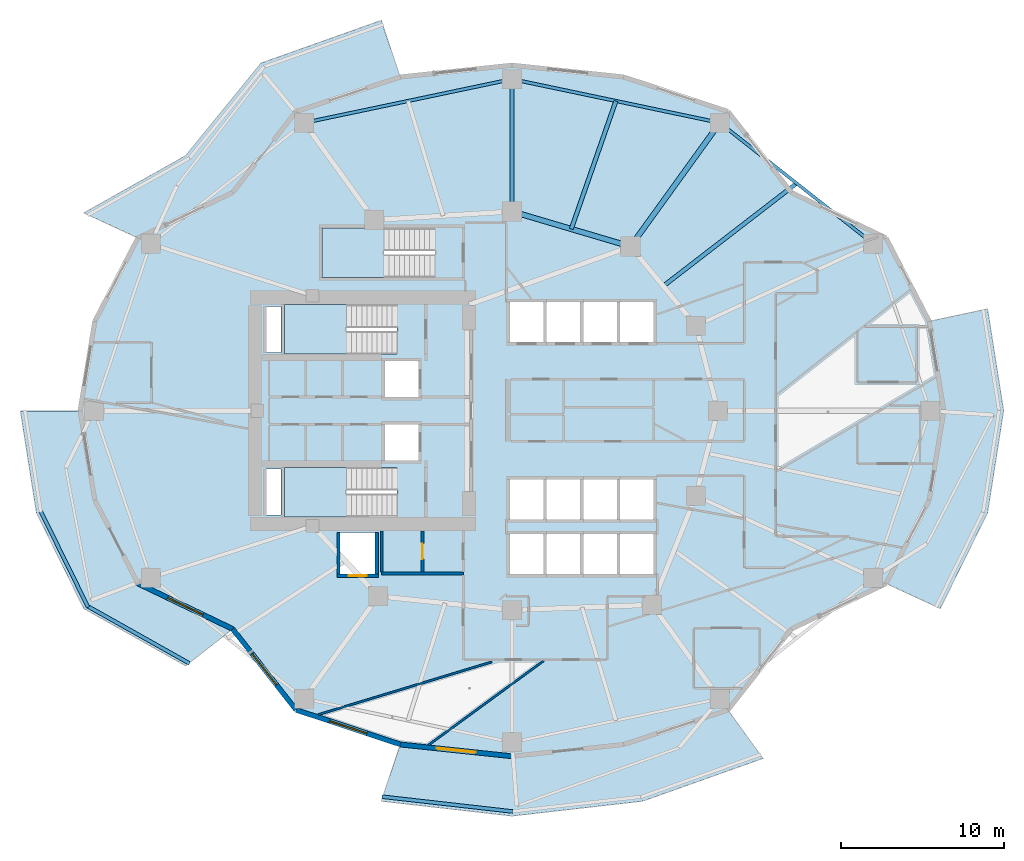
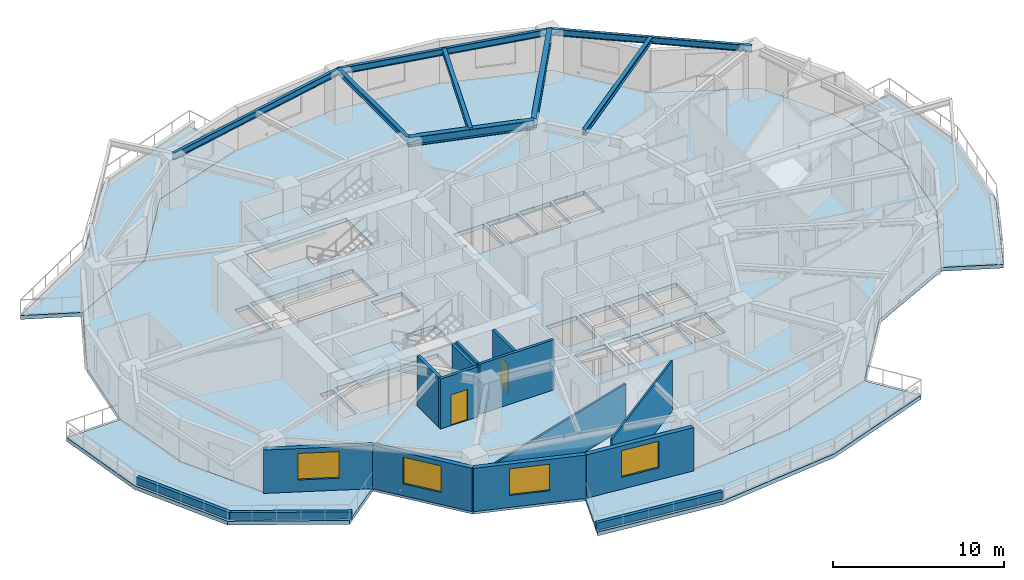
# One storey, part 2 of 16: 15 walls, 8 beams, 8 slabs, 4 windows, 2 doors, 6 openings, 3 elements without a shape of their own.
"""IFC4 building model written with IfcOpenShell, lengths in metres."""

from ifc_helpers import new_model, si_unit, direction, frame, frame_2d, origin, origin_2d, place, context, subcontext, project, spatial, polyline, rectangle, i_section, outline, extrude, material, layer, layer_set, material_profile, profile_set, type_object, element, fill, aggregate, save


model = new_model("IFC4")

# Units and contexts
model_context = context("Model", 3, precision=1e-05, world=origin(), true_north=direction((0.0, 1.0)))
body_context = subcontext(model_context, "Body", "Model", "MODEL_VIEW")
ifc_project = project(units=[si_unit("LENGTHUNIT", "METRE"), si_unit("AREAUNIT", "SQUARE_METRE"), si_unit("VOLUMEUNIT", "CUBIC_METRE"), si_unit("PLANEANGLEUNIT", "RADIAN"), si_unit("MASSUNIT", "GRAM", prefix="KILO")], contexts=[model_context])

# Site, building, storey
site_placement = place(None, origin())
site = spatial("IfcSite", under=ifc_project, at=site_placement, CompositionType="ELEMENT")
building_placement = place(site_placement, origin())
building = spatial("IfcBuilding", under=site, at=building_placement, Name="Kolvaren Gate Tower and Convention Centre", CompositionType="ELEMENT")
storey_placement = place(building_placement, frame((0.0, 0.0, 65.0)))
storey = spatial("IfcBuildingStorey", under=building, at=storey_placement, Name="L15", CompositionType="ELEMENT", Elevation=65.0)

# Beams
ifc_material_1 = material(Name="Structural steel ASTM A992 Grade 345 MPa", Category="steel")
ifc_material_profile_1 = material_profile(ifc_material_1, i_section(OverallWidth=0.327880859375, OverallDepth=0.6279296875, WebThickness=0.0166015625, FlangeThickness=0.027587890625, at=origin_2d()), Name="W610X217")
ifc_profile_set_1 = profile_set([ifc_material_profile_1], Name="Structural steel ASTM A992 Grade 345 MPa")
beam_type_1 = type_object("IfcBeamType", Name="STR-BM-W610X217", PredefinedType="BEAM", material=ifc_profile_set_1)
beam_1_placement = place(storey_placement, frame((37.381591796875, 37.054931640625, 3.256103515625), z_axis=(-0.958980837827, 0.283470902706, 0.0), x_axis=(-0.283470902706, -0.958980837827, 0.0)))
element("IfcBeam", 1, at=beam_1_placement, inside=storey, type_object=beam_type_1, Name="Tower L15 Primary Ring Girder G-03", PredefinedType="BEAM", context=body_context, shape_type="SweptSolid", body=[
    extrude(i_section(OverallWidth=0.327880859375, OverallDepth=0.6279296875, WebThickness=0.0166015625, FlangeThickness=0.027587890625, at=origin_2d()), origin(), (0.0, 0.0, 1.0), 7.56689453125),
])
beam_2_placement = place(storey_placement, frame((37.381591796875, 37.054931640625, 3.256103515625), z_axis=(0.585207971848, 0.810883240477, 0.0), x_axis=(-0.810883240477, 0.585207971848, 0.0)))
element("IfcBeam", 2, at=beam_2_placement, inside=storey, type_object=beam_type_1, Name="Tower L15 Radial Floor Girder RB-03", PredefinedType="BEAM", context=body_context, shape_type="SweptSolid", body=[
    extrude(i_section(OverallWidth=0.327880859375, OverallDepth=0.6279296875, WebThickness=0.0166015625, FlangeThickness=0.027587890625, at=origin_2d()), origin(), (0.0, 0.0, 1.0), 9.33837890625),
])
ifc_material_profile_2 = material_profile(ifc_material_1, i_section(OverallWidth=0.2548828125, OverallDepth=0.35693359375, WebThickness=0.010498046875, FlangeThickness=0.018310546875, at=origin_2d()), Name="W360X101")
ifc_profile_set_2 = profile_set([ifc_material_profile_2], Name="Structural steel ASTM A992 Grade 345 MPa")
beam_type_2 = type_object("IfcBeamType", Name="STR-JS-W360X101", PredefinedType="JOIST", material=ifc_profile_set_2)
beam_3_placement = place(storey_placement, frame((30.125, 39.199951171875, 3.3916015625), z_axis=(0.0, 1.0, 0.0), x_axis=(-1.0, 0.0, 0.0)))
element("IfcBeam", 3, at=beam_3_placement, inside=storey, type_object=beam_type_2, Name="Tower L15 Radial Floor Girder RB-04", PredefinedType="JOIST", context=body_context, shape_type="SweptSolid", body=[
    extrude(i_section(OverallWidth=0.2548828125, OverallDepth=0.35693359375, WebThickness=0.010498046875, FlangeThickness=0.018310546875, at=origin_2d()), origin(), (0.0, 0.0, 1.0), 8.10009765625),
])
beam_4_placement = place(storey_placement, frame((39.3818359375, 34.627197265625, 3.3916015625), z_axis=(0.791953664744, 0.610581192716, 0.0), x_axis=(-0.610581192716, 0.791953664744, 0.0)))
element("IfcBeam", 4, at=beam_4_placement, inside=storey, type_object=beam_type_2, Name="Tower L15 Secondary Composite Floor Joist J-02.1", PredefinedType="JOIST", context=body_context, shape_type="SweptSolid", body=[
    extrude(i_section(OverallWidth=0.2548828125, OverallDepth=0.35693359375, WebThickness=0.010498046875, FlangeThickness=0.018310546875, at=origin_2d()), origin(), (0.0, 0.0, 1.0), 10.31103515625),
])
beam_5_placement = place(storey_placement, frame((33.75341796875, 38.12744140625, 3.3916015625), z_axis=(0.329233693857, 0.944248470917, 0.0), x_axis=(-0.944248470917, 0.329233693857, 0.0)))
element("IfcBeam", 5, at=beam_5_placement, inside=storey, type_object=beam_type_2, Name="Tower L15 Secondary Composite Floor Joist J-03.1", PredefinedType="JOIST", context=body_context, shape_type="SweptSolid", body=[
    extrude(i_section(OverallWidth=0.2548828125, OverallDepth=0.35693359375, WebThickness=0.010498046875, FlangeThickness=0.018310546875, at=origin_2d()), origin(), (0.0, 0.0, 1.0), 8.298583984375),
])
ifc_material_profile_3 = material_profile(ifc_material_1, i_section(OverallWidth=0.194091796875, OverallDepth=0.468994140625, WebThickness=0.0126953125, FlangeThickness=0.0205078125, at=origin_2d()), Name="W460X106")
ifc_profile_set_3 = profile_set([ifc_material_profile_3], Name="Structural steel ASTM A992 Grade 345 MPa")
beam_type_3 = type_object("IfcBeamType", Name="STR-SP-W460X106", PredefinedType="SPANDREL", material=ifc_profile_set_3)
beam_6_placement = place(storey_placement, frame((52.248779296875, 37.218505859375, 3.33544921875), z_axis=(-0.785459824636, 0.618912646407, 0.0), x_axis=(-0.618912646407, -0.785459824636, 0.0)))
element("IfcBeam", 6, at=beam_6_placement, inside=storey, type_object=beam_type_3, Name="Tower L15 Perimeter Spandrel Beam SP-02", PredefinedType="SPANDREL", context=body_context, shape_type="SweptSolid", body=[
    extrude(i_section(OverallWidth=0.194091796875, OverallDepth=0.468994140625, WebThickness=0.0126953125, FlangeThickness=0.0205078125, at=origin_2d()), origin(), (0.0, 0.0, 1.0), 11.970458984375),
])
beam_7_placement = place(storey_placement, frame((42.846435546875, 44.627197265625, 3.33544921875), z_axis=(-0.978632602148, 0.205616706552, 0.0), x_axis=(-0.205616706552, -0.978632602148, 0.0)))
element("IfcBeam", 7, at=beam_7_placement, inside=storey, type_object=beam_type_3, Name="Tower L15 Perimeter Spandrel Beam SP-03", PredefinedType="SPANDREL", context=body_context, shape_type="SweptSolid", body=[
    extrude(i_section(OverallWidth=0.194091796875, OverallDepth=0.468994140625, WebThickness=0.0126953125, FlangeThickness=0.0205078125, at=origin_2d()), origin(), (0.0, 0.0, 1.0), 12.999267578125),
])
beam_8_placement = place(storey_placement, frame((30.125, 47.300048828125, 3.33544921875), z_axis=(-0.97863180809, -0.205620485836, 0.0), x_axis=(0.205620485836, -0.97863180809, 0.0)))
element("IfcBeam", 8, at=beam_8_placement, inside=storey, type_object=beam_type_3, Name="Tower L15 Perimeter Spandrel Beam SP-04", PredefinedType="SPANDREL", context=body_context, shape_type="SweptSolid", body=[
    extrude(i_section(OverallWidth=0.194091796875, OverallDepth=0.468994140625, WebThickness=0.0126953125, FlangeThickness=0.0205078125, at=origin_2d()), origin(), (0.0, 0.0, 1.0), 12.9990234375),
])

# Slabs
ifc_material_2 = material(Name="Concrete C50/60", Category="concrete")
ifc_layer_1 = layer(ifc_material_2, 0.27001953125)
ifc_layer_set_1 = layer_set([ifc_layer_1], Name="Concrete C50/60")
slab_type_1 = type_object("IfcSlabType", Name="STR-SL-BALC-270", PredefinedType="FLOOR", material=ifc_layer_set_1)
slab_1_placement = place(storey_placement, frame((0.0, 0.0, -0.27001953125)))
element("IfcSlab", 9, at=slab_1_placement, inside=storey, type_object=slab_type_1, Name="Tower L15 Planted Balcony Terrace Slab 1 (North)", PredefinedType="FLOOR", context=body_context, shape_type="SweptSolid", body=[
    extrude(outline(polyline([(23.282470703125, 47.42919921875), (16.90625, 45.31640625), (13.026123046875, 40.360107421875), (7.2294921875, 37.574951171875), (3.90673828125, 39.109619140625), (10.14208984375, 42.613525390625), (14.764404296875, 48.2841796875), (22.1201171875, 50.89990234375), (23.282470703125, 47.42919921875)])), origin(), (0.0, 0.0, 1.0), 0.27001953125),
])
slab_2_placement = place(storey_placement, frame((0.0, 0.0, -0.27001953125)))
element("IfcSlab", 10, at=slab_2_placement, inside=storey, type_object=slab_type_1, Name="Tower L15 Planted Balcony Terrace Slab 2 (West)", PredefinedType="FLOOR", context=body_context, shape_type="SweptSolid", body=[
    extrude(outline(polyline([(3.6875, 27.0), (4.58837890625, 21.52587890625), (7.2294921875, 16.425048828125), (13.026123046875, 13.639892578125), (10.14208984375, 11.386474609375), (3.90673828125, 14.890380859375), (1.009521484375, 20.7587890625), (0.027587890625, 27.0), (3.6875, 27.0)])), origin(), (0.0, 0.0, 1.0), 0.27001953125),
])
slab_3_placement = place(storey_placement, frame((0.0, 0.0, -0.27001953125)))
element("IfcSlab", 11, at=slab_3_placement, inside=storey, type_object=slab_type_1, Name="Tower L15 Planted Balcony Terrace Slab 3 (South)", PredefinedType="FLOOR", context=body_context, shape_type="SweptSolid", body=[
    extrude(outline(polyline([(23.282470703125, 6.57080078125), (30.125, 5.85009765625), (36.967529296875, 6.57080078125), (43.34375, 8.68359375), (45.485595703125, 5.7158203125), (38.1298828125, 3.10009765625), (30.125, 2.18994140625), (22.1201171875, 3.10009765625), (23.282470703125, 6.57080078125)])), origin(), (0.0, 0.0, 1.0), 0.27001953125),
])
slab_4_placement = place(storey_placement, frame((0.0, 0.0, -0.27001953125)))
element("IfcSlab", 12, at=slab_4_placement, inside=storey, type_object=slab_type_1, Name="Tower L15 Planted Balcony Terrace Slab 4 (East)", PredefinedType="FLOOR", context=body_context, shape_type="SweptSolid", body=[
    extrude(outline(polyline([(53.0205078125, 16.425048828125), (55.66162109375, 21.52587890625), (56.5625, 27.0), (55.66162109375, 32.47412109375), (59.240478515625, 33.2412109375), (60.222412109375, 27.0), (59.240478515625, 20.7587890625), (56.34326171875, 14.890380859375), (53.0205078125, 16.425048828125)])), origin(), (0.0, 0.0, 1.0), 0.27001953125),
])
ifc_layer_2 = layer(ifc_material_2, 0.280029296875)
ifc_layer_set_2 = layer_set([ifc_layer_2], Name="Concrete C50/60")
slab_type_2 = type_object("IfcSlabType", Name="STR-SL-FLR-280", PredefinedType="FLOOR", material=ifc_layer_set_2)
slab_5_placement = place(storey_placement, frame((0.0, 0.0, -0.280029296875)))
element("IfcSlab", 13, at=slab_5_placement, inside=storey, type_object=slab_type_2, Name="Tower L15 Structural Floor Slab", PredefinedType="FLOOR", context=body_context, shape_type="SweptSolid", body=[
    extrude(outline(polyline([(56.5625, 27.0), (55.66162109375, 32.47412109375), (53.0205078125, 37.574951171875), (47.223876953125, 40.360107421875), (43.34375, 45.31640625), (36.967529296875, 47.42919921875), (30.125, 48.14990234375), (23.282470703125, 47.42919921875), (16.90625, 45.31640625), (13.026123046875, 40.360107421875), (7.2294921875, 37.574951171875), (4.58837890625, 32.47412109375), (3.6875, 27.0), (4.58837890625, 21.52587890625), (7.2294921875, 16.425048828125), (13.026123046875, 13.639892578125), (16.90625, 8.68359375), (23.282470703125, 6.57080078125), (30.125, 5.85009765625), (36.967529296875, 6.57080078125), (43.34375, 8.68359375), (47.223876953125, 13.639892578125), (53.0205078125, 16.425048828125), (55.66162109375, 21.52587890625), (56.5625, 27.0)]), holes=[polyline([(36.75, 33.64990234375), (38.800048828125, 33.64990234375), (38.800048828125, 31.199951171875), (36.75, 31.199951171875), (36.75, 33.64990234375)]), polyline([(36.75, 20.35009765625), (36.75, 22.800048828125), (38.800048828125, 22.800048828125), (38.800048828125, 20.35009765625), (36.75, 20.35009765625)]), polyline([(36.75, 17.0), (36.75, 19.449951171875), (38.800048828125, 19.449951171875), (38.800048828125, 17.0), (36.75, 17.0)]), polyline([(34.5, 33.64990234375), (36.550048828125, 33.64990234375), (36.550048828125, 31.199951171875), (34.5, 31.199951171875), (34.5, 33.64990234375)]), polyline([(34.5, 22.800048828125), (36.550048828125, 22.800048828125), (36.550048828125, 20.35009765625), (34.5, 20.35009765625), (34.5, 22.800048828125)]), polyline([(34.5, 17.0), (34.5, 19.449951171875), (36.550048828125, 19.449951171875), (36.550048828125, 17.0), (34.5, 17.0)]), polyline([(32.25, 31.199951171875), (32.25, 33.64990234375), (34.300048828125, 33.64990234375), (34.300048828125, 31.199951171875), (32.25, 31.199951171875)]), polyline([(32.25, 22.800048828125), (34.300048828125, 22.800048828125), (34.300048828125, 20.35009765625), (32.25, 20.35009765625), (32.25, 22.800048828125)]), polyline([(32.25, 17.0), (32.25, 19.449951171875), (34.300048828125, 19.449951171875), (34.300048828125, 17.0), (32.25, 17.0)]), polyline([(30.0, 31.199951171875), (30.0, 33.64990234375), (32.050048828125, 33.64990234375), (32.050048828125, 31.199951171875), (30.0, 31.199951171875)]), polyline([(30.0, 20.35009765625), (30.0, 22.800048828125), (32.050048828125, 22.800048828125), (32.050048828125, 20.35009765625), (30.0, 20.35009765625)]), polyline([(30.0, 17.0), (30.0, 19.449951171875), (32.050048828125, 19.449951171875), (32.050048828125, 17.0), (30.0, 17.0)]), polyline([(25.39990234375, 35.159912109375), (18.5, 35.159912109375), (18.5, 38.199951171875), (25.39990234375, 38.199951171875), (25.39990234375, 35.159912109375)]), polyline([(22.35009765625, 27.840087890625), (22.35009765625, 30.0400390625), (24.39990234375, 30.0400390625), (24.39990234375, 27.840087890625), (22.35009765625, 27.840087890625)]), polyline([(22.35009765625, 23.9599609375), (22.35009765625, 26.159912109375), (24.39990234375, 26.159912109375), (24.39990234375, 23.9599609375), (22.35009765625, 23.9599609375)]), polyline([(23.10009765625, 30.4599609375), (16.199951171875, 30.4599609375), (16.199951171875, 33.5), (23.10009765625, 33.5), (23.10009765625, 30.4599609375)]), polyline([(23.10009765625, 20.5), (16.199951171875, 20.5), (16.199951171875, 23.5400390625), (23.10009765625, 23.5400390625), (23.10009765625, 20.5)]), polyline([(19.60009765625, 17.0), (19.60009765625, 19.550048828125), (21.75, 19.550048828125), (21.75, 17.0), (19.60009765625, 17.0)]), polyline([(15.080078125, 23.419921875), (15.969970703125, 23.419921875), (15.969970703125, 20.6298828125), (15.080078125, 20.6298828125), (15.080078125, 23.419921875)]), polyline([(15.080078125, 30.580078125), (15.080078125, 33.3701171875), (15.969970703125, 33.3701171875), (15.969970703125, 30.580078125), (15.080078125, 30.580078125)])]), origin(), (0.0, 0.0, 1.0), 0.280029296875),
])

# Stair, slab
stair_type = type_object("IfcStairType", Name="STR-STAIR-CORE", PredefinedType="HALF_TURN_STAIR", material=ifc_material_2)
stair_1_placement = place(storey_placement, origin())
stair_1 = element("IfcStair", 14, at=stair_1_placement, inside=storey, type_object=stair_type, Name="L15 Tower North Exit Stair ST-T1", PredefinedType="HALF_TURN_STAIR")
ifc_layer_3 = layer(ifc_material_2, 0.199951171875)
ifc_layer_set_3 = layer_set([ifc_layer_3], Name="Concrete C50/60")
slab_type_3 = type_object("IfcSlabType", Name="STR-SL-LAND-200", PredefinedType="LANDING", material=ifc_layer_set_3)
slab_6_placement = place(storey_placement, frame((0.0, 0.0, 1.72509765625)))
slab_6 = element("IfcSlab", 15, at=slab_6_placement, type_object=slab_type_3, Name="ST-T1 landing 1", PredefinedType="LANDING", context=body_context, shape_type="SweptSolid", body=[
    extrude(outline(polyline([(20.0, 33.5), (16.199951171875, 33.5), (16.199951171875, 30.4599609375), (20.0, 30.4599609375), (20.0, 33.5)])), origin(), (0.0, 0.0, 1.0), 0.199951171875),
])
aggregate(stair_1, [slab_6])

stair_2_placement = place(storey_placement, origin())
stair_2 = element("IfcStair", 16, at=stair_2_placement, inside=storey, type_object=stair_type, Name="L15 Tower South Exit Stair ST-T2", PredefinedType="HALF_TURN_STAIR")
slab_7_placement = place(storey_placement, frame((0.0, 0.0, 1.72509765625)))
slab_7 = element("IfcSlab", 17, at=slab_7_placement, type_object=slab_type_3, Name="ST-T2 landing 1", PredefinedType="LANDING", context=body_context, shape_type="SweptSolid", body=[
    extrude(outline(polyline([(20.0, 23.5400390625), (16.199951171875, 23.5400390625), (16.199951171875, 20.5), (20.0, 20.5), (20.0, 23.5400390625)])), origin(), (0.0, 0.0, 1.0), 0.199951171875),
])
aggregate(stair_2, [slab_7])

stair_3_placement = place(storey_placement, origin())
stair_3 = element("IfcStair", 18, at=stair_3_placement, inside=storey, type_object=stair_type, Name="L15 Tower Mid-Zone Exit Stair ST-T3", PredefinedType="HALF_TURN_STAIR")
slab_8_placement = place(storey_placement, frame((0.0, 0.0, 1.72509765625)))
slab_8 = element("IfcSlab", 19, at=slab_8_placement, type_object=slab_type_3, Name="ST-T3 landing 1", PredefinedType="LANDING", context=body_context, shape_type="SweptSolid", body=[
    extrude(outline(polyline([(22.300048828125, 38.199951171875), (18.5, 38.199951171875), (18.5, 35.159912109375), (22.300048828125, 35.159912109375), (22.300048828125, 38.199951171875)])), origin(), (0.0, 0.0, 1.0), 0.199951171875),
])
aggregate(stair_3, [slab_8])

# Wall
ifc_material_3 = material(Name="Autoclaved Aerated Masonry Blockwork Class 4 (4.0 MPa)", Category="masonry")
ifc_layer_4 = layer(ifc_material_3, 0.179931640625)
ifc_layer_set_4 = layer_set([ifc_layer_4], Name="Autoclaved Aerated Masonry Blockwork Class 4 (4.0 MPa)")
wall_type_1 = type_object("IfcWallType", Name="ARCH-WL-COMP-180", PredefinedType="SOLIDWALL", material=ifc_layer_set_4)
wall_1_placement = place(storey_placement, frame((22.14990234375, 17.050048828125, 0.0), z_axis=(0.0, 0.0, 1.0), x_axis=(1.0, 0.0, 0.0)))
element("IfcWall", 20, at=wall_1_placement, inside=storey, type_object=wall_type_1, Name="Interior Partition WL-L15-INT-011", PredefinedType="SOLIDWALL", context=body_context, shape_type="SweptSolid", body=[
    extrude(rectangle(XDim=5.0, YDim=0.179931640625, at=frame_2d((2.5, 0.0))), origin(), (0.0, 0.0, 1.0), 3.570068359375),
])

# Wall, opening, door
wall_2_placement = place(storey_placement, frame((24.64990234375, 17.14208984375, 0.0), z_axis=(0.0, 0.0, 1.0), x_axis=(0.0, 1.0, 0.0)))
wall_2 = element("IfcWall", 21, at=wall_2_placement, inside=storey, type_object=wall_type_1, Name="Interior Partition WL-L15-INT-013", PredefinedType="SOLIDWALL", context=body_context, shape_type="SweptSolid", body=[
    extrude(rectangle(XDim=2.505859375, YDim=0.179931640625, at=frame_2d((1.2529296875, 0.0))), origin(), (0.0, 0.0, 1.0), 3.570068359375),
])
opening_1_placement = place(wall_2_placement, frame((0.778076171875, 0.0, 0.0)))
opening_1 = element("IfcOpeningElement", 22, at=opening_1_placement, cuts=wall_2, Name="Opening DR-01", PredefinedType="OPENING", context=body_context, shape_type="SweptSolid", body=[
    extrude(rectangle(XDim=0.949951171875, YDim=2.10009765625, at=frame_2d((0.47509765625, 1.050048828125))), frame((0.0, 0.099853515625, 0.0), z_axis=(0.0, -1.0, 0.0), x_axis=(1.0, 0.0, 0.0)), (0.0, 0.0, 1.0), 0.199951171875),
])
ifc_material_4 = material(Name="Painted Architectural Steelwork ASTM A500 Grade C 345 MPa", Category="steel")
door_type_1 = type_object("IfcDoorType", Name="ARCH-DR-RISER-950", OperationType="SINGLE_SWING_RIGHT", PredefinedType="DOOR", material=ifc_material_4)
door_1_placement = place(opening_1_placement, origin())
door_1 = element("IfcDoor", 23, at=door_1_placement, inside=storey, type_object=door_type_1, Name="West Valet Store Door", OperationType="SINGLE_SWING_LEFT", OverallHeight=2.10009765625, OverallWidth=0.949951171875, PredefinedType="DOOR", context=body_context, shape_type="SweptSolid", body=[
    extrude(rectangle(XDim=0.949951171875, YDim=2.10009765625, at=frame_2d((0.47509765625, 1.050048828125))), frame((0.0, 0.02490234375, 0.0), z_axis=(0.0, -1.0, 0.0), x_axis=(1.0, 0.0, 0.0)), (0.0, 0.0, 1.0), 0.050048828125),
])
fill(opening_1, door_1)

# Walls
ifc_material_5 = material(Name="Fire-Rated Acoustic Gypsum Stud Partition", Category="gypsum")
ifc_layer_5 = layer(ifc_material_5, 0.1201171875)
ifc_layer_set_5 = layer_set([ifc_layer_5], Name="Fire-Rated Acoustic Gypsum Stud Partition")
wall_type_2 = type_object("IfcWallType", Name="ARCH-WL-PART-120", PredefinedType="PARTITIONING", material=ifc_layer_set_5)
wall_3_placement = place(storey_placement, frame((18.256103515625, 8.396484375, 0.0), z_axis=(0.0, 0.0, 1.0), x_axis=(0.9568399174, 0.290615506246, 0.0)))
element("IfcWall", 24, at=wall_3_placement, inside=storey, type_object=wall_type_2, Name="Interior Partition WL-L15-INT-052", PredefinedType="PARTITIONING", context=body_context, shape_type="SweptSolid", body=[
    extrude(rectangle(XDim=11.119384765625, YDim=0.1201171875, at=frame_2d((5.5595703125, 0.0))), origin(), (0.0, 0.0, 1.0), 3.093017578125),
])
wall_4_placement = place(storey_placement, frame((25.020751953125, 6.54052734375, 0.0), z_axis=(0.0, 0.0, 1.0), x_axis=(0.80721771605, 0.590253808878, 0.0)))
element("IfcWall", 25, at=wall_4_placement, inside=storey, type_object=wall_type_2, Name="Interior Partition WL-L15-INT-054", PredefinedType="PARTITIONING", context=body_context, shape_type="SweptSolid", body=[
    extrude(rectangle(XDim=8.720703125, YDim=0.1201171875, at=frame_2d((4.3603515625, 0.0))), origin(), (0.0, 0.0, 1.0), 3.570068359375),
])
ifc_material_6 = material(Name="Piedmont Cream Honed Limestone Cladding", Category="masonry")
ifc_layer_6 = layer(ifc_material_6, 0.219970703125)
ifc_layer_set_6 = layer_set([ifc_layer_6], Name="Piedmont Cream Honed Limestone Cladding")
wall_type_3 = type_object("IfcWallType", Name="ARCH-WL-PLANTER-220", PredefinedType="PARAPET", material=ifc_layer_set_6)
wall_5_placement = place(storey_placement, frame((1.275390625, 20.846923828125, 0.0), z_axis=(0.0, 0.0, 1.0), x_axis=(0.442686636348, -0.89667638644, 0.0)))
element("IfcWall", 26, at=wall_5_placement, inside=storey, type_object=wall_type_3, Name="Vertical-Forest Balcony Stone Planter Kerb PK-L15-2.2", PredefinedType="PARAPET", context=body_context, shape_type="SweptSolid", body=[
    extrude(rectangle(XDim=6.544677734375, YDim=0.219970703125, at=frame_2d((3.2724609375, 0.0))), origin(), (0.0, 0.0, 1.0), 0.52001953125),
])
wall_6_placement = place(storey_placement, frame((4.14697265625, 15.034423828125, 0.0), z_axis=(0.0, 0.0, 1.0), x_axis=(0.871775109335, -0.489906275468, 0.0)))
element("IfcWall", 27, at=wall_6_placement, inside=storey, type_object=wall_type_3, Name="Vertical-Forest Balcony Stone Planter Kerb PK-L15-2.3", PredefinedType="PARAPET", context=body_context, shape_type="SweptSolid", body=[
    extrude(rectangle(XDim=7.152099609375, YDim=0.219970703125, at=frame_2d((3.576171875, 0.0))), origin(), (0.0, 0.0, 1.0), 0.52001953125),
])
wall_7_placement = place(storey_placement, frame((22.16552734375, 3.37646484375, 0.0), z_axis=(0.0, 0.0, 1.0), x_axis=(0.993598144351, -0.112972242349, 0.0)))
element("IfcWall", 28, at=wall_7_placement, inside=storey, type_object=wall_type_3, Name="Vertical-Forest Balcony Stone Planter Kerb PK-L15-3.1", PredefinedType="PARAPET", context=body_context, shape_type="SweptSolid", body=[
    extrude(rectangle(XDim=8.056396484375, YDim=0.219970703125, at=frame_2d((4.0283203125, 0.0))), origin(), (0.0, 0.0, 1.0), 0.52001953125),
])

# Wall, opening, door
ifc_layer_7 = layer(ifc_material_3, 0.199951171875)
ifc_layer_set_7 = layer_set([ifc_layer_7], Name="Autoclaved Aerated Masonry Blockwork Class 4 (4.0 MPa)")
wall_type_4 = type_object("IfcWallType", Name="ARCH-WL-SHAFT-200", PredefinedType="SOLIDWALL", material=ifc_layer_set_7)
wall_8_placement = place(storey_placement, frame((19.39990234375, 16.89990234375, 0.0), z_axis=(0.0, 0.0, 1.0), x_axis=(1.0, 0.0, 0.0)))
wall_8 = element("IfcWall", 29, at=wall_8_placement, inside=storey, type_object=wall_type_4, Name="Elevator SV-01 L15 Fire Shaft Wall S", PredefinedType="SOLIDWALL", context=body_context, shape_type="SweptSolid", body=[
    extrude(rectangle(XDim=2.550048828125, YDim=0.199951171875, at=frame_2d((1.27490234375, 0.0))), origin(), (0.0, 0.0, 1.0), 3.570068359375),
])
opening_2_placement = place(wall_8_placement, frame((0.72509765625, 0.0, 0.0)))
opening_2 = element("IfcOpeningElement", 30, at=opening_2_placement, cuts=wall_8, Name="Opening LD", PredefinedType="OPENING", context=body_context, shape_type="SweptSolid", body=[
    extrude(rectangle(XDim=1.10009765625, YDim=2.199951171875, at=frame_2d((0.550048828125, 1.10009765625))), frame((0.0, 0.10986328125, 0.0), z_axis=(0.0, -1.0, 0.0), x_axis=(1.0, 0.0, 0.0)), (0.0, 0.0, 1.0), 0.219970703125),
])
ifc_material_7 = material(Name="Brushed Stainless Steel Grade 316L", Category="steel")
door_type_2 = type_object("IfcDoorType", Name="ARCH-DR-LIFT-1100", OperationType="SLIDING_TO_LEFT", PredefinedType="DOOR", material=ifc_material_7)
door_2_placement = place(opening_2_placement, origin())
door_2 = element("IfcDoor", 31, at=door_2_placement, inside=storey, type_object=door_type_2, Name="Elevator SV-01 L15 Sliding Landing Door", OperationType="SLIDING_TO_LEFT", OverallHeight=2.199951171875, OverallWidth=1.10009765625, PredefinedType="DOOR", context=body_context, shape_type="SweptSolid", body=[
    extrude(rectangle(XDim=1.10009765625, YDim=2.199951171875, at=frame_2d((0.550048828125, 1.10009765625))), frame((0.0, 0.02490234375, 0.0), z_axis=(0.0, -1.0, 0.0), x_axis=(1.0, 0.0, 0.0)), (0.0, 0.0, 1.0), 0.050048828125),
])
fill(opening_2, door_2)

# Walls
for number, where, z_axis, x_axis, name in (
    (32, (19.5, 17.010009765625, 0.0), (0.0, 0.0, 1.0), (0.0, 1.0, 0.0), "Elevator SV-01 L15 Fire Shaft Wall W"),
    (33, (21.85009765625, 17.010009765625, 0.0), (0.0, 0.0, 1.0), (0.0, 1.0, 0.0), "Elevator SV-01 L15 Fire Shaft Wall E"),
):
    element("IfcWall", number, at=place(storey_placement, frame(where, z_axis=z_axis, x_axis=x_axis)), inside=storey, type_object=wall_type_4, Name=name, PredefinedType="SOLIDWALL", context=body_context, shape_type="SweptSolid", body=[
        extrude(rectangle(XDim=2.530029296875, YDim=0.199951171875, at=frame_2d((1.26513671875, 0.0))), origin(), (0.0, 0.0, 1.0), 3.570068359375),
    ])

# Wall, opening, window
ifc_layer_8 = layer(ifc_material_6, 0.300048828125)
ifc_layer_set_8 = layer_set([ifc_layer_8], Name="Piedmont Cream Honed Limestone Cladding")
wall_type_5 = type_object("IfcWallType", Name="ARCH-WL-STONE-300", PredefinedType="SOLIDWALL", material=ifc_layer_set_8)
wall_9_placement = place(storey_placement, frame((7.2294921875, 16.425048828125, 0.0), z_axis=(0.0, 0.0, 1.0), x_axis=(0.901354747727, -0.433081538224, 0.0)))
wall_9 = element("IfcWall", 34, at=wall_9_placement, inside=storey, type_object=wall_type_5, Name="Tower L15 Honed Stone Spandrel Wall EW-14", PredefinedType="SOLIDWALL", context=body_context, shape_type="SweptSolid", body=[
    extrude(rectangle(XDim=6.430908203125, YDim=0.300048828125, at=frame_2d((3.21533203125, 0.0))), origin(), (0.0, 0.0, 1.0), 3.093017578125),
])
opening_3_placement = place(wall_9_placement, frame((2.014892578125, 0.0, 0.85009765625)))
opening_3 = element("IfcOpeningElement", 35, at=opening_3_placement, cuts=wall_9, Name="Opening W-01", PredefinedType="OPENING", context=body_context, shape_type="SweptSolid", body=[
    extrude(rectangle(XDim=2.39990234375, YDim=1.89990234375, at=frame_2d((1.199951171875, 0.949951171875))), frame((0.0, 0.159912109375, 0.0), z_axis=(0.0, -1.0, 0.0), x_axis=(1.0, 0.0, 0.0)), (0.0, 0.0, 1.0), 0.320068359375),
])
ifc_material_8 = material(Name="Low-E Triple Insulated Glazing Unit 44 mm", Category="glass")
window_type = type_object("IfcWindowType", Name="ARCH-WN-OFF-2400", PartitioningType="SINGLE_PANEL", PredefinedType="WINDOW", material=ifc_material_8)
window_1_placement = place(opening_3_placement, origin())
window_1 = element("IfcWindow", 36, at=window_1_placement, inside=storey, type_object=window_type, Name="Tower L15 Punched Stone Facade Window W-14", OverallHeight=1.89990234375, OverallWidth=2.39990234375, PartitioningType="SINGLE_PANEL", PredefinedType="WINDOW", context=body_context, shape_type="SweptSolid", body=[
    extrude(rectangle(XDim=2.39990234375, YDim=1.89990234375, at=frame_2d((1.199951171875, 0.949951171875))), frame((0.0, 0.030029296875, 0.0), z_axis=(0.0, -1.0, 0.0), x_axis=(1.0, 0.0, 0.0)), (0.0, 0.0, 1.0), 0.06005859375),
])
fill(opening_3, window_1)

wall_10_placement = place(storey_placement, frame((13.026123046875, 13.639892578125, 0.0), z_axis=(0.0, 0.0, 1.0), x_axis=(0.616434798832, -0.78740595552, 0.0)))
wall_10 = element("IfcWall", 37, at=wall_10_placement, inside=storey, type_object=wall_type_5, Name="Tower L15 Honed Stone Spandrel Wall EW-15", PredefinedType="SOLIDWALL", context=body_context, shape_type="SweptSolid", body=[
    extrude(rectangle(XDim=6.29443359375, YDim=0.300048828125, at=frame_2d((3.147216796875, 0.0))), origin(), (0.0, 0.0, 1.0), 3.093017578125),
])
opening_4_placement = place(wall_10_placement, frame((1.947021484375, 0.0, 0.85009765625)))
opening_4 = element("IfcOpeningElement", 38, at=opening_4_placement, cuts=wall_10, Name="Opening W-01", PredefinedType="OPENING", context=body_context, shape_type="SweptSolid", body=[
    extrude(rectangle(XDim=2.39990234375, YDim=1.89990234375, at=frame_2d((1.199951171875, 0.949951171875))), frame((0.0, 0.159912109375, 0.0), z_axis=(0.0, -1.0, 0.0), x_axis=(1.0, 0.0, 0.0)), (0.0, 0.0, 1.0), 0.320068359375),
])
window_2_placement = place(opening_4_placement, origin())
window_2 = element("IfcWindow", 39, at=window_2_placement, inside=storey, type_object=window_type, Name="Tower L15 Punched Stone Facade Window W-15", OverallHeight=1.89990234375, OverallWidth=2.39990234375, PartitioningType="SINGLE_PANEL", PredefinedType="WINDOW", context=body_context, shape_type="SweptSolid", body=[
    extrude(rectangle(XDim=2.39990234375, YDim=1.89990234375, at=frame_2d((1.199951171875, 0.949951171875))), frame((0.0, 0.030029296875, 0.0), z_axis=(0.0, -1.0, 0.0), x_axis=(1.0, 0.0, 0.0)), (0.0, 0.0, 1.0), 0.06005859375),
])
fill(opening_4, window_2)

wall_11_placement = place(storey_placement, frame((16.90625, 8.68359375, 0.0), z_axis=(0.0, 0.0, 1.0), x_axis=(0.949245153629, -0.314537181127, 0.0)))
wall_11 = element("IfcWall", 40, at=wall_11_placement, inside=storey, type_object=wall_type_5, Name="Tower L15 Honed Stone Spandrel Wall EW-16", PredefinedType="SOLIDWALL", context=body_context, shape_type="SweptSolid", body=[
    extrude(rectangle(XDim=6.717041015625, YDim=0.300048828125, at=frame_2d((3.3583984375, 0.0))), origin(), (0.0, 0.0, 1.0), 3.093017578125),
])
opening_5_placement = place(wall_11_placement, frame((2.158935546875, 0.0, 0.85009765625)))
opening_5 = element("IfcOpeningElement", 41, at=opening_5_placement, cuts=wall_11, Name="Opening W-01", PredefinedType="OPENING", context=body_context, shape_type="SweptSolid", body=[
    extrude(rectangle(XDim=2.39990234375, YDim=1.89990234375, at=frame_2d((1.199951171875, 0.949951171875))), frame((0.0, 0.159912109375, 0.0), z_axis=(0.0, -1.0, 0.0), x_axis=(1.0, 0.0, 0.0)), (0.0, 0.0, 1.0), 0.320068359375),
])
window_3_placement = place(opening_5_placement, origin())
window_3 = element("IfcWindow", 42, at=window_3_placement, inside=storey, type_object=window_type, Name="Tower L15 Punched Stone Facade Window W-16", OverallHeight=1.89990234375, OverallWidth=2.39990234375, PartitioningType="SINGLE_PANEL", PredefinedType="WINDOW", context=body_context, shape_type="SweptSolid", body=[
    extrude(rectangle(XDim=2.39990234375, YDim=1.89990234375, at=frame_2d((1.199951171875, 0.949951171875))), frame((0.0, 0.030029296875, 0.0), z_axis=(0.0, -1.0, 0.0), x_axis=(1.0, 0.0, 0.0)), (0.0, 0.0, 1.0), 0.06005859375),
])
fill(opening_5, window_3)

wall_12_placement = place(storey_placement, frame((23.282470703125, 6.57080078125, 0.0), z_axis=(0.0, 0.0, 1.0), x_axis=(0.994498840295, -0.104747585419, 0.0)))
wall_12 = element("IfcWall", 43, at=wall_12_placement, inside=storey, type_object=wall_type_5, Name="Tower L15 Honed Stone Spandrel Wall EW-17", PredefinedType="SOLIDWALL", context=body_context, shape_type="SweptSolid", body=[
    extrude(rectangle(XDim=6.88037109375, YDim=0.300048828125, at=frame_2d((3.440185546875, 0.0))), origin(), (0.0, 0.0, 1.0), 3.093017578125),
])
opening_6_placement = place(wall_12_placement, frame((2.239990234375, 0.0, 0.85009765625)))
opening_6 = element("IfcOpeningElement", 44, at=opening_6_placement, cuts=wall_12, Name="Opening W-01", PredefinedType="OPENING", context=body_context, shape_type="SweptSolid", body=[
    extrude(rectangle(XDim=2.39990234375, YDim=1.89990234375, at=frame_2d((1.199951171875, 0.949951171875))), frame((0.0, 0.159912109375, 0.0), z_axis=(0.0, -1.0, 0.0), x_axis=(1.0, 0.0, 0.0)), (0.0, 0.0, 1.0), 0.320068359375),
])
window_4_placement = place(opening_6_placement, origin())
window_4 = element("IfcWindow", 45, at=window_4_placement, inside=storey, type_object=window_type, Name="Tower L15 Punched Stone Facade Window W-17", OverallHeight=1.89990234375, OverallWidth=2.39990234375, PartitioningType="SINGLE_PANEL", PredefinedType="WINDOW", context=body_context, shape_type="SweptSolid", body=[
    extrude(rectangle(XDim=2.39990234375, YDim=1.89990234375, at=frame_2d((1.199951171875, 0.949951171875))), frame((0.0, 0.030029296875, 0.0), z_axis=(0.0, -1.0, 0.0), x_axis=(1.0, 0.0, 0.0)), (0.0, 0.0, 1.0), 0.06005859375),
])
fill(opening_6, window_4)

# Wall
ifc_material_9 = material(Name="Moisture-Resistant Cement-Board Acoustic Partition", Category="gypsum")
ifc_layer_9 = layer(ifc_material_9, 0.14990234375)
ifc_layer_set_9 = layer_set([ifc_layer_9], Name="Moisture-Resistant Cement-Board Acoustic Partition")
wall_type_6 = type_object("IfcWallType", Name="ARCH-WL-WET-150", PredefinedType="PARTITIONING", material=ifc_layer_set_9)
wall_13_placement = place(storey_placement, frame((22.14990234375, 17.14208984375, 0.0), z_axis=(0.0, 0.0, 1.0), x_axis=(0.0, 1.0, 0.0)))
element("IfcWall", 46, at=wall_13_placement, inside=storey, type_object=wall_type_6, Name="Interior Partition WL-L15-INT-012", PredefinedType="PARTITIONING", context=body_context, shape_type="SweptSolid", body=[
    extrude(rectangle(XDim=2.505859375, YDim=0.14990234375, at=frame_2d((1.2529296875, 0.0))), origin(), (0.0, 0.0, 1.0), 3.570068359375),
])

save(model, "model.ifc")
